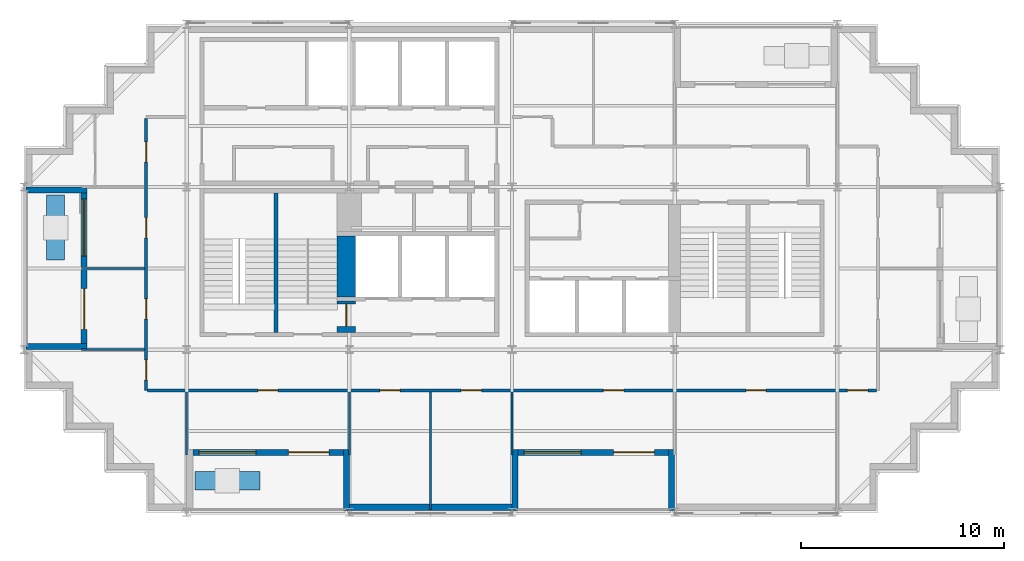
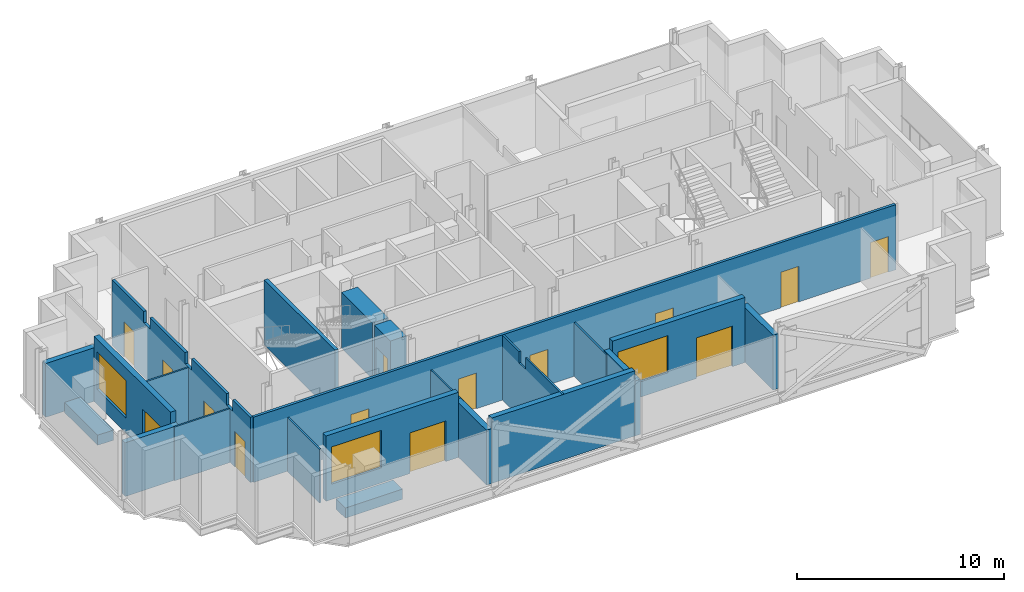
# One storey, part 4 of 10: 22 walls, 14 doors, 3 windows, 17 openings.
"""IFC4 building model written with IfcOpenShell, lengths in metres."""

from ifc_helpers import new_model, si_unit, direction, frame, frame_2d, origin, place, context, subcontext, project, spatial, polyline, rectangle, outline, extrude, material, layer, layer_set, type_object, element, fill, save


model = new_model("IFC4")

# Units and contexts
model_context = context("Model", 3, precision=1e-05, world=origin(), true_north=direction((0.0, 1.0)))
body_context = subcontext(model_context, "Body", "Model", "MODEL_VIEW")
ifc_project = project(units=[si_unit("LENGTHUNIT", "METRE"), si_unit("AREAUNIT", "SQUARE_METRE"), si_unit("VOLUMEUNIT", "CUBIC_METRE"), si_unit("PLANEANGLEUNIT", "RADIAN"), si_unit("MASSUNIT", "GRAM", prefix="KILO")], contexts=[model_context])

# Site, building, storey
site_placement = place(None, origin())
site = spatial("IfcSite", under=ifc_project, at=site_placement, CompositionType="ELEMENT")
building_placement = place(site_placement, origin())
building = spatial("IfcBuilding", under=site, at=building_placement, Name="Immortelle Media Tower", CompositionType="ELEMENT")
storey_placement = place(building_placement, frame((0.0, 0.0, 217.0)))
storey = spatial("IfcBuildingStorey", under=building, at=storey_placement, Name="L46", CompositionType="ELEMENT", Elevation=217.0)

# Wall, openings, doors
ifc_material_1 = material(Name="Fire-rated gypsum board", Category="gypsum")
ifc_layer_1 = layer(ifc_material_1, 0.012451171875)
ifc_material_2 = material(Name="Steel ASTM A653 SS Gr 50 stud frame with mineral wool", Category="steel")
ifc_layer_2 = layer(ifc_material_2, 0.125)
ifc_layer_3 = layer(ifc_material_1, 0.012451171875)
ifc_layer_set_1 = layer_set([ifc_layer_1, ifc_layer_2, ifc_layer_3], Name="Steel ASTM A653 SS Gr 50 stud frame with mineral wool")
wall_type_1 = type_object("IfcWallType", Name="Corridor wall 150", PredefinedType="PARTITIONING", material=ifc_layer_set_1)
wall_1_placement = place(storey_placement, frame((6.074951171875, 6.0, 0.0), z_axis=(0.0, 0.0, 1.0), x_axis=(1.0, 0.0, 0.0)))
wall_1 = element("IfcWall", 1, at=wall_1_placement, inside=storey, type_object=wall_type_1, Name="Partition L46-007", PredefinedType="PARTITIONING", context=body_context, shape_type="SweptSolid", body=[
    extrude(rectangle(XDim=35.85009765625, YDim=0.14990234375, at=frame_2d((17.925048828125, 0.0))), origin(), (0.0, 0.0, 1.0), 3.85009765625),
])
opening_1_placement = place(wall_1_placement, frame((12.425048828125, 0.0, 0.0), z_axis=(0.0, 0.0, 1.0), x_axis=(-1.0, 0.0, 0.0)))
opening_1 = element("IfcOpeningElement", 2, at=opening_1_placement, cuts=wall_1, Name="Opening O4-F001", PredefinedType="OPENING", context=body_context, shape_type="SweptSolid", body=[
    extrude(rectangle(XDim=1.0, YDim=2.10009765625, at=frame_2d((0.5, 1.050048828125))), frame((0.0, 0.0849609375, 0.0), z_axis=(0.0, -1.0, 0.0), x_axis=(1.0, 0.0, 0.0)), (0.0, 0.0, 1.0), 0.169921875),
])
opening_2_placement = place(wall_1_placement, frame((16.425048828125, 0.0, 0.0), z_axis=(0.0, 0.0, 1.0), x_axis=(-1.0, 0.0, 0.0)))
opening_2 = element("IfcOpeningElement", 3, at=opening_2_placement, cuts=wall_1, Name="Opening O4-F002", PredefinedType="OPENING", context=body_context, shape_type="SweptSolid", body=[
    extrude(rectangle(XDim=1.0, YDim=2.10009765625, at=frame_2d((0.5, 1.050048828125))), frame((0.0, 0.0849609375, 0.0), z_axis=(0.0, -1.0, 0.0), x_axis=(1.0, 0.0, 0.0)), (0.0, 0.0, 1.0), 0.169921875),
])
opening_3_placement = place(wall_1_placement, frame((30.425048828125, 0.0, 0.0), z_axis=(0.0, 0.0, 1.0), x_axis=(-1.0, 0.0, 0.0)))
opening_3 = element("IfcOpeningElement", 4, at=opening_3_placement, cuts=wall_1, Name="Opening O4-F003", PredefinedType="OPENING", context=body_context, shape_type="SweptSolid", body=[
    extrude(rectangle(XDim=1.0, YDim=2.10009765625, at=frame_2d((0.5, 1.050048828125))), frame((0.0, 0.0849609375, 0.0), z_axis=(0.0, -1.0, 0.0), x_axis=(1.0, 0.0, 0.0)), (0.0, 0.0, 1.0), 0.169921875),
])
opening_4_placement = place(wall_1_placement, frame((6.425048828125, 0.0, 0.0), z_axis=(0.0, 0.0, 1.0), x_axis=(-1.0, 0.0, 0.0)))
opening_4 = element("IfcOpeningElement", 5, at=opening_4_placement, cuts=wall_1, Name="Opening O4-F004", PredefinedType="OPENING", context=body_context, shape_type="SweptSolid", body=[
    extrude(rectangle(XDim=1.0, YDim=2.10009765625, at=frame_2d((0.5, 1.050048828125))), frame((0.0, 0.0849609375, 0.0), z_axis=(0.0, -1.0, 0.0), x_axis=(1.0, 0.0, 0.0)), (0.0, 0.0, 1.0), 0.169921875),
])
opening_5_placement = place(wall_1_placement, frame((23.425048828125, 0.0, 0.0), z_axis=(0.0, 0.0, 1.0), x_axis=(-1.0, 0.0, 0.0)))
opening_5 = element("IfcOpeningElement", 6, at=opening_5_placement, cuts=wall_1, Name="Opening O4-F005", PredefinedType="OPENING", context=body_context, shape_type="SweptSolid", body=[
    extrude(rectangle(XDim=1.0, YDim=2.10009765625, at=frame_2d((0.5, 1.050048828125))), frame((0.0, 0.0849609375, 0.0), z_axis=(0.0, -1.0, 0.0), x_axis=(1.0, 0.0, 0.0)), (0.0, 0.0, 1.0), 0.169921875),
])
opening_6_placement = place(wall_1_placement, frame((35.425048828125, 0.0, 0.0), z_axis=(0.0, 0.0, 1.0), x_axis=(-1.0, 0.0, 0.0)))
opening_6 = element("IfcOpeningElement", 7, at=opening_6_placement, cuts=wall_1, Name="Opening O4-F007", PredefinedType="OPENING", context=body_context, shape_type="SweptSolid", body=[
    extrude(rectangle(XDim=1.0, YDim=2.10009765625, at=frame_2d((0.5, 1.050048828125))), frame((0.0, 0.0849609375, 0.0), z_axis=(0.0, -1.0, 0.0), x_axis=(1.0, 0.0, 0.0)), (0.0, 0.0, 1.0), 0.169921875),
])
ifc_material_3 = material(Name="Timber veneered door leaf, galvanised steel frame ASTM A653", Category="steel")
door_type_1 = type_object("IfcDoorType", Name="Room door 1000 x 2100", OperationType="NOTDEFINED", PredefinedType="DOOR", material=ifc_material_3)
door_1_placement = place(opening_1_placement, origin())
door_1 = element("IfcDoor", 8, at=door_1_placement, inside=storey, type_object=door_type_1, Name="Door O4-F001", OperationType="SINGLE_SWING_LEFT", OverallHeight=2.10009765625, OverallWidth=1.0, PredefinedType="DOOR", context=body_context, shape_type="SweptSolid", body=[
    extrude(rectangle(XDim=1.0, YDim=2.10009765625, at=frame_2d((0.5, 1.050048828125))), frame((0.0, 0.02490234375, 0.0), z_axis=(0.0, -1.0, 0.0), x_axis=(1.0, 0.0, 0.0)), (0.0, 0.0, 1.0), 0.050048828125),
])
fill(opening_1, door_1)
door_2_placement = place(opening_2_placement, origin())
door_2 = element("IfcDoor", 9, at=door_2_placement, inside=storey, type_object=door_type_1, Name="Door O4-F002", OperationType="SINGLE_SWING_RIGHT", OverallHeight=2.10009765625, OverallWidth=1.0, PredefinedType="DOOR", context=body_context, shape_type="SweptSolid", body=[
    extrude(rectangle(XDim=1.0, YDim=2.10009765625, at=frame_2d((0.5, 1.050048828125))), frame((0.0, 0.02490234375, 0.0), z_axis=(0.0, -1.0, 0.0), x_axis=(1.0, 0.0, 0.0)), (0.0, 0.0, 1.0), 0.050048828125),
])
fill(opening_2, door_2)
door_3_placement = place(opening_3_placement, origin())
door_3 = element("IfcDoor", 10, at=door_3_placement, inside=storey, type_object=door_type_1, Name="Door O4-F003", OperationType="SINGLE_SWING_LEFT", OverallHeight=2.10009765625, OverallWidth=1.0, PredefinedType="DOOR", context=body_context, shape_type="SweptSolid", body=[
    extrude(rectangle(XDim=1.0, YDim=2.10009765625, at=frame_2d((0.5, 1.050048828125))), frame((0.0, 0.02490234375, 0.0), z_axis=(0.0, -1.0, 0.0), x_axis=(1.0, 0.0, 0.0)), (0.0, 0.0, 1.0), 0.050048828125),
])
fill(opening_3, door_3)
door_4_placement = place(opening_4_placement, origin())
door_4 = element("IfcDoor", 11, at=door_4_placement, inside=storey, type_object=door_type_1, Name="Door O4-F004", OperationType="SINGLE_SWING_RIGHT", OverallHeight=2.10009765625, OverallWidth=1.0, PredefinedType="DOOR", context=body_context, shape_type="SweptSolid", body=[
    extrude(rectangle(XDim=1.0, YDim=2.10009765625, at=frame_2d((0.5, 1.050048828125))), frame((0.0, 0.02490234375, 0.0), z_axis=(0.0, -1.0, 0.0), x_axis=(1.0, 0.0, 0.0)), (0.0, 0.0, 1.0), 0.050048828125),
])
fill(opening_4, door_4)
door_5_placement = place(opening_5_placement, origin())
door_5 = element("IfcDoor", 12, at=door_5_placement, inside=storey, type_object=door_type_1, Name="Door O4-F005", OperationType="SINGLE_SWING_LEFT", OverallHeight=2.10009765625, OverallWidth=1.0, PredefinedType="DOOR", context=body_context, shape_type="SweptSolid", body=[
    extrude(rectangle(XDim=1.0, YDim=2.10009765625, at=frame_2d((0.5, 1.050048828125))), frame((0.0, 0.02490234375, 0.0), z_axis=(0.0, -1.0, 0.0), x_axis=(1.0, 0.0, 0.0)), (0.0, 0.0, 1.0), 0.050048828125),
])
fill(opening_5, door_5)
door_6_placement = place(opening_6_placement, origin())
door_6 = element("IfcDoor", 13, at=door_6_placement, inside=storey, type_object=door_type_1, Name="Door O4-F007", OperationType="SINGLE_SWING_RIGHT", OverallHeight=2.10009765625, OverallWidth=1.0, PredefinedType="DOOR", context=body_context, shape_type="SweptSolid", body=[
    extrude(rectangle(XDim=1.0, YDim=2.10009765625, at=frame_2d((0.5, 1.050048828125))), frame((0.0, 0.02490234375, 0.0), z_axis=(0.0, -1.0, 0.0), x_axis=(1.0, 0.0, 0.0)), (0.0, 0.0, 1.0), 0.050048828125),
])
fill(opening_6, door_6)

wall_2_placement = place(storey_placement, frame((6.0, 6.0, 0.0), z_axis=(0.0, 0.0, 1.0), x_axis=(0.0, 1.0, 0.0)))
wall_2 = element("IfcWall", 14, at=wall_2_placement, inside=storey, type_object=wall_type_1, Name="Partition L46-008", PredefinedType="PARTITIONING", context=body_context, shape_type="SweptSolid", body=[
    extrude(outline(polyline([(0.0, 0.0), (13.375, 0.0), (13.375, 3.85009765625), (10.300048828125, 3.85009765625), (10.298095703125, 3.172119140625), (9.701904296875, 3.172119140625), (9.699951171875, 3.85009765625), (6.300048828125, 3.85009765625), (6.298095703125, 3.172119140625), (5.701904296875, 3.172119140625), (5.699951171875, 3.85009765625), (2.300048828125, 3.85009765625), (2.298095703125, 3.172119140625), (1.701904296875, 3.172119140625), (1.699951171875, 3.85009765625), (0.0, 3.85009765625), (0.0, 0.0)])), frame((0.0, 0.074951171875, 0.0), z_axis=(0.0, -1.0, 0.0), x_axis=(1.0, 0.0, 0.0)), (0.0, 0.0, 1.0), 0.14990234375),
])
opening_7_placement = place(wall_2_placement, frame((0.5, 0.0, 0.0)))
opening_7 = element("IfcOpeningElement", 15, at=opening_7_placement, cuts=wall_2, Name="Opening O4-F006", PredefinedType="OPENING", context=body_context, shape_type="SweptSolid", body=[
    extrude(rectangle(XDim=1.0, YDim=2.10009765625, at=frame_2d((0.5, 1.050048828125))), frame((0.0, 0.0849609375, 0.0), z_axis=(0.0, -1.0, 0.0), x_axis=(1.0, 0.0, 0.0)), (0.0, 0.0, 1.0), 0.169921875),
])
opening_8_placement = place(wall_2_placement, frame((3.5, 0.0, 0.0)))
opening_8 = element("IfcOpeningElement", 16, at=opening_8_placement, cuts=wall_2, Name="Opening O4-F008", PredefinedType="OPENING", context=body_context, shape_type="SweptSolid", body=[
    extrude(rectangle(XDim=1.0, YDim=2.10009765625, at=frame_2d((0.5, 1.050048828125))), frame((0.0, 0.0849609375, 0.0), z_axis=(0.0, -1.0, 0.0), x_axis=(1.0, 0.0, 0.0)), (0.0, 0.0, 1.0), 0.169921875),
])
opening_9_placement = place(wall_2_placement, frame((7.5, 0.0, 0.0)))
opening_9 = element("IfcOpeningElement", 17, at=opening_9_placement, cuts=wall_2, Name="Opening O4-F009", PredefinedType="OPENING", context=body_context, shape_type="SweptSolid", body=[
    extrude(rectangle(XDim=1.0, YDim=2.10009765625, at=frame_2d((0.5, 1.050048828125))), frame((0.0, 0.0849609375, 0.0), z_axis=(0.0, -1.0, 0.0), x_axis=(1.0, 0.0, 0.0)), (0.0, 0.0, 1.0), 0.169921875),
])
opening_10_placement = place(wall_2_placement, frame((11.22509765625, 0.0, 0.0)))
opening_10 = element("IfcOpeningElement", 18, at=opening_10_placement, cuts=wall_2, Name="Opening O4-F012", PredefinedType="OPENING", context=body_context, shape_type="SweptSolid", body=[
    extrude(rectangle(XDim=1.0, YDim=2.10009765625, at=frame_2d((0.5, 1.050048828125))), frame((0.0, 0.0849609375, 0.0), z_axis=(0.0, -1.0, 0.0), x_axis=(1.0, 0.0, 0.0)), (0.0, 0.0, 1.0), 0.169921875),
])
door_7_placement = place(opening_7_placement, origin())
door_7 = element("IfcDoor", 19, at=door_7_placement, inside=storey, type_object=door_type_1, Name="Door O4-F006", OperationType="SINGLE_SWING_RIGHT", OverallHeight=2.10009765625, OverallWidth=1.0, PredefinedType="DOOR", context=body_context, shape_type="SweptSolid", body=[
    extrude(rectangle(XDim=1.0, YDim=2.10009765625, at=frame_2d((0.5, 1.050048828125))), frame((0.0, 0.02490234375, 0.0), z_axis=(0.0, -1.0, 0.0), x_axis=(1.0, 0.0, 0.0)), (0.0, 0.0, 1.0), 0.050048828125),
])
fill(opening_7, door_7)
door_8_placement = place(opening_8_placement, origin())
door_8 = element("IfcDoor", 20, at=door_8_placement, inside=storey, type_object=door_type_1, Name="Door O4-F008", OperationType="SINGLE_SWING_RIGHT", OverallHeight=2.10009765625, OverallWidth=1.0, PredefinedType="DOOR", context=body_context, shape_type="SweptSolid", body=[
    extrude(rectangle(XDim=1.0, YDim=2.10009765625, at=frame_2d((0.5, 1.050048828125))), frame((0.0, 0.02490234375, 0.0), z_axis=(0.0, -1.0, 0.0), x_axis=(1.0, 0.0, 0.0)), (0.0, 0.0, 1.0), 0.050048828125),
])
fill(opening_8, door_8)
door_9_placement = place(opening_9_placement, origin())
door_9 = element("IfcDoor", 21, at=door_9_placement, inside=storey, type_object=door_type_1, Name="Door O4-F009", OperationType="SINGLE_SWING_RIGHT", OverallHeight=2.10009765625, OverallWidth=1.0, PredefinedType="DOOR", context=body_context, shape_type="SweptSolid", body=[
    extrude(rectangle(XDim=1.0, YDim=2.10009765625, at=frame_2d((0.5, 1.050048828125))), frame((0.0, 0.02490234375, 0.0), z_axis=(0.0, -1.0, 0.0), x_axis=(1.0, 0.0, 0.0)), (0.0, 0.0, 1.0), 0.050048828125),
])
fill(opening_9, door_9)
door_10_placement = place(opening_10_placement, origin())
door_10 = element("IfcDoor", 22, at=door_10_placement, inside=storey, type_object=door_type_1, Name="Door O4-F012", OperationType="SINGLE_SWING_LEFT", OverallHeight=2.10009765625, OverallWidth=1.0, PredefinedType="DOOR", context=body_context, shape_type="SweptSolid", body=[
    extrude(rectangle(XDim=1.0, YDim=2.10009765625, at=frame_2d((0.5, 1.050048828125))), frame((0.0, 0.02490234375, 0.0), z_axis=(0.0, -1.0, 0.0), x_axis=(1.0, 0.0, 0.0)), (0.0, 0.0, 1.0), 0.050048828125),
])
fill(opening_10, door_10)

# Wall, openings, door, window
ifc_material_4 = material(Name="Pale aluminium cladding panel", Category="aluminium")
ifc_layer_4 = layer(ifc_material_4, 0.030029296875)
ifc_layer_5 = layer(ifc_material_2, 0.257568359375)
ifc_material_5 = material(Name="Moisture-resistant gypsum board", Category="gypsum")
ifc_layer_6 = layer(ifc_material_5, 0.012451171875)
ifc_layer_set_2 = layer_set([ifc_layer_4, ifc_layer_5, ifc_layer_6], Name="Steel ASTM A653 SS Gr 50 stud frame with mineral wool")
wall_type_2 = type_object("IfcWallType", Name="Facade wall 300", PredefinedType="SOLIDWALL", material=ifc_layer_set_2)
wall_3_placement = place(storey_placement, frame((8.300048828125, 2.949951171875, 0.0), z_axis=(0.0, 0.0, 1.0), x_axis=(1.0, 0.0, 0.0)))
wall_3 = element("IfcWall", 23, at=wall_3_placement, inside=storey, type_object=wall_type_2, Name="Loggia wall L46 S6", PredefinedType="SOLIDWALL", context=body_context, shape_type="SweptSolid", body=[
    extrude(rectangle(XDim=7.39990234375, YDim=0.300048828125, at=frame_2d((3.699951171875, 0.0))), origin(), (0.0, 0.0, 1.0), 3.85009765625),
])
opening_11_placement = place(wall_3_placement, frame((0.300048828125, 0.0, 0.89990234375)))
opening_11 = element("IfcOpeningElement", 24, at=opening_11_placement, cuts=wall_3, Name="Opening W1", PredefinedType="OPENING", context=body_context, shape_type="SweptSolid", body=[
    extrude(rectangle(XDim=2.800048828125, YDim=2.199951171875, at=frame_2d((1.39990234375, 1.10009765625))), frame((0.0, 0.159912109375, 0.0), z_axis=(0.0, -1.0, 0.0), x_axis=(1.0, 0.0, 0.0)), (0.0, 0.0, 1.0), 0.320068359375),
])
opening_12_placement = place(wall_3_placement, frame((4.699951171875, 0.0, 0.0)))
opening_12 = element("IfcOpeningElement", 25, at=opening_12_placement, cuts=wall_3, Name="Opening O4-E001", PredefinedType="OPENING", context=body_context, shape_type="SweptSolid", body=[
    extrude(rectangle(XDim=2.0, YDim=2.39990234375, at=frame_2d((1.0, 1.199951171875))), frame((0.0, 0.159912109375, 0.0), z_axis=(0.0, -1.0, 0.0), x_axis=(1.0, 0.0, 0.0)), (0.0, 0.0, 1.0), 0.320068359375),
])
ifc_material_6 = material(Name="Aluminium frame, glazed leaves", Category="aluminium")
door_type_2 = type_object("IfcDoorType", Name="Loggia door 2000 x 2400", OperationType="DOUBLE_DOOR_SINGLE_SWING", PredefinedType="DOOR", material=ifc_material_6)
door_11_placement = place(opening_12_placement, origin())
door_11 = element("IfcDoor", 26, at=door_11_placement, inside=storey, type_object=door_type_2, Name="Door O4-E001", OperationType="DOUBLE_DOOR_SINGLE_SWING", OverallHeight=2.39990234375, OverallWidth=2.0, PredefinedType="DOOR", context=body_context, shape_type="SweptSolid", body=[
    extrude(rectangle(XDim=2.0, YDim=2.39990234375, at=frame_2d((1.0, 1.199951171875))), frame((0.0, 0.02490234375, 0.0), z_axis=(0.0, -1.0, 0.0), x_axis=(1.0, 0.0, 0.0)), (0.0, 0.0, 1.0), 0.050048828125),
])
fill(opening_12, door_11)
ifc_material_7 = material(Name="Aluminium frame", Category="aluminium")
window_type = type_object("IfcWindowType", Name="Window 2800 x 2200", PartitioningType="SINGLE_PANEL", PredefinedType="WINDOW", material=ifc_material_7)
window_1_placement = place(opening_11_placement, origin())
window_1 = element("IfcWindow", 27, at=window_1_placement, inside=storey, type_object=window_type, Name="Window L46 L46-R6-B0", OverallHeight=2.199951171875, OverallWidth=2.800048828125, PartitioningType="SINGLE_PANEL", PredefinedType="WINDOW", context=body_context, shape_type="SweptSolid", body=[
    extrude(rectangle(XDim=2.800048828125, YDim=2.199951171875, at=frame_2d((1.39990234375, 1.10009765625))), frame((0.0, 0.030029296875, 0.0), z_axis=(0.0, -1.0, 0.0), x_axis=(1.0, 0.0, 0.0)), (0.0, 0.0, 1.0), 0.06005859375),
])
fill(opening_11, window_1)

# Walls
wall_4_placement = place(storey_placement, frame((15.85009765625, 0.10009765625, 0.0), z_axis=(0.0, 0.0, 1.0), x_axis=(0.0, 1.0, 0.0)))
element("IfcWall", 28, at=wall_4_placement, inside=storey, type_object=wall_type_2, Name="Loggia cheek wall L46 S", PredefinedType="SOLIDWALL", context=body_context, shape_type="SweptSolid", body=[
    extrude(rectangle(XDim=3.0, YDim=0.300048828125, at=frame_2d((1.5, 0.0))), origin(), (0.0, 0.0, 1.0), 3.237060546875),
])
wall_5_placement = place(storey_placement, frame((16.0, 0.25, 0.0), z_axis=(0.0, 0.0, 1.0), x_axis=(1.0, 0.0, 0.0)))
element("IfcWall", 29, at=wall_5_placement, inside=storey, type_object=wall_type_2, Name="Facade wall L46 S6", PredefinedType="SOLIDWALL", context=body_context, shape_type="SweptSolid", body=[
    extrude(rectangle(XDim=8.0, YDim=0.300048828125, at=frame_2d((4.0, 0.0))), origin(), (0.0, 0.0, 1.0), 3.85009765625),
])

# Wall, openings, door, window
wall_6_placement = place(storey_placement, frame((24.300048828125, 2.949951171875, 0.0), z_axis=(0.0, 0.0, 1.0), x_axis=(1.0, 0.0, 0.0)))
wall_6 = element("IfcWall", 30, at=wall_6_placement, inside=storey, type_object=wall_type_2, Name="Loggia wall L46 S6", PredefinedType="SOLIDWALL", context=body_context, shape_type="SweptSolid", body=[
    extrude(rectangle(XDim=7.39990234375, YDim=0.300048828125, at=frame_2d((3.699951171875, 0.0))), origin(), (0.0, 0.0, 1.0), 3.85009765625),
])
opening_13_placement = place(wall_6_placement, frame((0.300048828125, 0.0, 0.89990234375)))
opening_13 = element("IfcOpeningElement", 31, at=opening_13_placement, cuts=wall_6, Name="Opening W1", PredefinedType="OPENING", context=body_context, shape_type="SweptSolid", body=[
    extrude(rectangle(XDim=2.800048828125, YDim=2.199951171875, at=frame_2d((1.39990234375, 1.10009765625))), frame((0.0, 0.159912109375, 0.0), z_axis=(0.0, -1.0, 0.0), x_axis=(1.0, 0.0, 0.0)), (0.0, 0.0, 1.0), 0.320068359375),
])
opening_14_placement = place(wall_6_placement, frame((4.699951171875, 0.0, 0.0)))
opening_14 = element("IfcOpeningElement", 32, at=opening_14_placement, cuts=wall_6, Name="Opening O4-E002", PredefinedType="OPENING", context=body_context, shape_type="SweptSolid", body=[
    extrude(rectangle(XDim=2.0, YDim=2.39990234375, at=frame_2d((1.0, 1.199951171875))), frame((0.0, 0.159912109375, 0.0), z_axis=(0.0, -1.0, 0.0), x_axis=(1.0, 0.0, 0.0)), (0.0, 0.0, 1.0), 0.320068359375),
])
door_12_placement = place(opening_14_placement, origin())
door_12 = element("IfcDoor", 33, at=door_12_placement, inside=storey, type_object=door_type_2, Name="Door O4-E002", OperationType="DOUBLE_DOOR_SINGLE_SWING", OverallHeight=2.39990234375, OverallWidth=2.0, PredefinedType="DOOR", context=body_context, shape_type="SweptSolid", body=[
    extrude(rectangle(XDim=2.0, YDim=2.39990234375, at=frame_2d((1.0, 1.199951171875))), frame((0.0, 0.02490234375, 0.0), z_axis=(0.0, -1.0, 0.0), x_axis=(1.0, 0.0, 0.0)), (0.0, 0.0, 1.0), 0.050048828125),
])
fill(opening_14, door_12)
window_2_placement = place(opening_13_placement, origin())
window_2 = element("IfcWindow", 34, at=window_2_placement, inside=storey, type_object=window_type, Name="Window L46 L46-R6-B2", OverallHeight=2.199951171875, OverallWidth=2.800048828125, PartitioningType="SINGLE_PANEL", PredefinedType="WINDOW", context=body_context, shape_type="SweptSolid", body=[
    extrude(rectangle(XDim=2.800048828125, YDim=2.199951171875, at=frame_2d((1.39990234375, 1.10009765625))), frame((0.0, 0.030029296875, 0.0), z_axis=(0.0, -1.0, 0.0), x_axis=(1.0, 0.0, 0.0)), (0.0, 0.0, 1.0), 0.06005859375),
])
fill(opening_13, window_2)

# Walls
for number, where, z_axis, x_axis, name in (
    (35, (24.14990234375, 0.10009765625, 0.0), (0.0, 0.0, 1.0), (0.0, 1.0, 0.0), "Loggia cheek wall L46 S"),
    (36, (31.85009765625, 0.10009765625, 0.0), (0.0, 0.0, 1.0), (0.0, 1.0, 0.0), "Loggia cheek wall L46 S"),
):
    element("IfcWall", number, at=place(storey_placement, frame(where, z_axis=z_axis, x_axis=x_axis)), inside=storey, type_object=wall_type_2, Name=name, PredefinedType="SOLIDWALL", context=body_context, shape_type="SweptSolid", body=[
        extrude(rectangle(XDim=3.0, YDim=0.300048828125, at=frame_2d((1.5, 0.0))), origin(), (0.0, 0.0, 1.0), 3.237060546875),
    ])

# Wall, openings, door, window
wall_7_placement = place(storey_placement, frame((2.949951171875, 15.699951171875, 0.0), z_axis=(0.0, 0.0, 1.0), x_axis=(0.0, -1.0, 0.0)))
wall_7 = element("IfcWall", 37, at=wall_7_placement, inside=storey, type_object=wall_type_2, Name="Loggia wall L46 W27", PredefinedType="SOLIDWALL", context=body_context, shape_type="SweptSolid", body=[
    extrude(rectangle(XDim=7.39990234375, YDim=0.300048828125, at=frame_2d((3.699951171875, 0.0))), origin(), (0.0, 0.0, 1.0), 3.85009765625),
])
opening_15_placement = place(wall_7_placement, frame((0.300048828125, 0.0, 0.89990234375)))
opening_15 = element("IfcOpeningElement", 38, at=opening_15_placement, cuts=wall_7, Name="Opening W1", PredefinedType="OPENING", context=body_context, shape_type="SweptSolid", body=[
    extrude(rectangle(XDim=2.800048828125, YDim=2.199951171875, at=frame_2d((1.39990234375, 1.10009765625))), frame((0.0, 0.159912109375, 0.0), z_axis=(0.0, -1.0, 0.0), x_axis=(1.0, 0.0, 0.0)), (0.0, 0.0, 1.0), 0.320068359375),
])
opening_16_placement = place(wall_7_placement, frame((4.699951171875, 0.0, 0.0)))
opening_16 = element("IfcOpeningElement", 39, at=opening_16_placement, cuts=wall_7, Name="Opening O4-E006", PredefinedType="OPENING", context=body_context, shape_type="SweptSolid", body=[
    extrude(rectangle(XDim=2.0, YDim=2.39990234375, at=frame_2d((1.0, 1.199951171875))), frame((0.0, 0.159912109375, 0.0), z_axis=(0.0, -1.0, 0.0), x_axis=(1.0, 0.0, 0.0)), (0.0, 0.0, 1.0), 0.320068359375),
])
door_13_placement = place(opening_16_placement, origin())
door_13 = element("IfcDoor", 40, at=door_13_placement, inside=storey, type_object=door_type_2, Name="Door O4-E006", OperationType="DOUBLE_DOOR_SINGLE_SWING", OverallHeight=2.39990234375, OverallWidth=2.0, PredefinedType="DOOR", context=body_context, shape_type="SweptSolid", body=[
    extrude(rectangle(XDim=2.0, YDim=2.39990234375, at=frame_2d((1.0, 1.199951171875))), frame((0.0, 0.02490234375, 0.0), z_axis=(0.0, -1.0, 0.0), x_axis=(1.0, 0.0, 0.0)), (0.0, 0.0, 1.0), 0.050048828125),
])
fill(opening_16, door_13)
window_3_placement = place(opening_15_placement, origin())
window_3 = element("IfcWindow", 41, at=window_3_placement, inside=storey, type_object=window_type, Name="Window L46 L46-R27-B0", OverallHeight=2.199951171875, OverallWidth=2.800048828125, PartitioningType="SINGLE_PANEL", PredefinedType="WINDOW", context=body_context, shape_type="SweptSolid", body=[
    extrude(rectangle(XDim=2.800048828125, YDim=2.199951171875, at=frame_2d((1.39990234375, 1.10009765625))), frame((0.0, 0.030029296875, 0.0), z_axis=(0.0, -1.0, 0.0), x_axis=(1.0, 0.0, 0.0)), (0.0, 0.0, 1.0), 0.06005859375),
])
fill(opening_15, window_3)

# Walls
for number, where, z_axis, x_axis, name in (
    (42, (0.10009765625, 15.85009765625, 0.0), (0.0, 0.0, 1.0), (1.0, 0.0, 0.0), "Loggia cheek wall L46 W"),
    (43, (0.10009765625, 8.14990234375, 0.0), (0.0, 0.0, 1.0), (1.0, 0.0, 0.0), "Loggia cheek wall L46 W"),
):
    element("IfcWall", number, at=place(storey_placement, frame(where, z_axis=z_axis, x_axis=x_axis)), inside=storey, type_object=wall_type_2, Name=name, PredefinedType="SOLIDWALL", context=body_context, shape_type="SweptSolid", body=[
        extrude(rectangle(XDim=3.0, YDim=0.300048828125, at=frame_2d((1.5, 0.0))), origin(), (0.0, 0.0, 1.0), 3.1708984375),
    ])
ifc_material_8 = material(Name="Gypsum board", Category="gypsum")
ifc_layer_7 = layer(ifc_material_8, 0.012451171875)
ifc_layer_8 = layer(ifc_material_2, 0.074951171875)
ifc_layer_9 = layer(ifc_material_8, 0.012451171875)
ifc_layer_set_3 = layer_set([ifc_layer_7, ifc_layer_8, ifc_layer_9], Name="Steel ASTM A653 SS Gr 50 stud frame with mineral wool")
wall_type_3 = type_object("IfcWallType", Name="Partition 100", PredefinedType="PARTITIONING", material=ifc_layer_set_3)
wall_8_placement = place(storey_placement, frame((20.0, 0.1298828125, 0.0), z_axis=(0.0, 0.0, 1.0), x_axis=(0.0, 1.0, 0.0)))
element("IfcWall", 44, at=wall_8_placement, inside=storey, type_object=wall_type_3, Name="Partition L46-001", PredefinedType="PARTITIONING", context=body_context, shape_type="SweptSolid", body=[
    extrude(outline(polyline([(0.0, 0.0), (5.795166015625, 0.0), (5.794921875, 3.85009765625), (4.169921875, 3.85009765625), (4.16796875, 3.172119140625), (3.572021484375, 3.172119140625), (3.570068359375, 3.85009765625), (0.0, 3.85009765625), (0.0, 0.0)])), frame((0.0, 0.050048828125, 0.0), z_axis=(0.0, -1.0, 0.0), x_axis=(1.0, 0.0, 0.0)), (0.0, 0.0, 1.0), 0.10009765625),
])
for number, where, z_axis, x_axis, name in (
    (45, (8.0, 2.830078125, 0.0), (0.0, 0.0, 1.0), (0.0, 1.0, 0.0), "Partition L46-003"),
    (46, (16.0, 2.830078125, 0.0), (0.0, 0.0, 1.0), (0.0, 1.0, 0.0), "Partition L46-004"),
    (47, (24.0, 2.830078125, 0.0), (0.0, 0.0, 1.0), (0.0, 1.0, 0.0), "Partition L46-005"),
    (48, (2.830078125, 8.0, 0.0), (0.0, 0.0, 1.0), (1.0, 0.0, 0.0), "Partition L46-010"),
    (49, (2.830078125, 12.0, 0.0), (0.0, 0.0, 1.0), (1.0, 0.0, 0.0), "Partition L46-012"),
):
    element("IfcWall", number, at=place(storey_placement, frame(where, z_axis=z_axis, x_axis=x_axis)), inside=storey, type_object=wall_type_3, Name=name, PredefinedType="PARTITIONING", context=body_context, shape_type="SweptSolid", body=[
        extrude(rectangle(XDim=3.094970703125, YDim=0.10009765625, at=frame_2d((1.54736328125, 0.0))), origin(), (0.0, 0.0, 1.0), 3.172119140625),
    ])
ifc_layer_10 = layer(ifc_material_4, 0.0029296875)
ifc_material_9 = material(Name="Steel ASTM A572 Gr 50 planter shell", Category="steel")
ifc_layer_11 = layer(ifc_material_9, 0.011962890625)
ifc_material_10 = material(Name="Planting substrate", Category="soil")
ifc_layer_12 = layer(ifc_material_10, 0.873046875)
ifc_layer_13 = layer(ifc_material_9, 0.011962890625)
ifc_layer_set_4 = layer_set([ifc_layer_10, ifc_layer_11, ifc_layer_12, ifc_layer_13], Name="Steel ASTM A572 Gr 50 planter shell")
wall_type_4 = type_object("IfcWallType", Name="Planter wall 900", PredefinedType="SOLIDWALL", material=ifc_layer_set_4)
for number, where, z_axis, x_axis, name in (
    (50, (8.39990234375, 1.550048828125, 0.0), (0.0, 0.0, 1.0), (1.0, 0.0, 0.0), "Planter L46 S0"),
    (51, (1.550048828125, 15.60009765625, 0.0), (0.0, 0.0, 1.0), (0.0, -1.0, 0.0), "Planter L46 W0"),
):
    element("IfcWall", number, at=place(storey_placement, frame(where, z_axis=z_axis, x_axis=x_axis)), inside=storey, type_object=wall_type_4, Name=name, PredefinedType="SOLIDWALL", context=body_context, shape_type="SweptSolid", body=[
        extrude(rectangle(XDim=3.2001953125, YDim=0.89990234375, at=frame_2d((1.60009765625, 0.0))), origin(), (0.0, 0.0, 1.0), 0.60009765625),
    ])
ifc_material_11 = material(Name="Concrete C60", Category="concrete")
ifc_layer_14 = layer(ifc_material_11, 0.199951171875)
ifc_layer_set_5 = layer_set([ifc_layer_14], Name="Concrete C60")
wall_type_5 = type_object("IfcWallType", Name="Stair shaft wall 200", PredefinedType="PARTITIONING", material=ifc_layer_set_5)
wall_9_placement = place(storey_placement, frame((12.39990234375, 8.85009765625, 0.0), z_axis=(0.0, 0.0, 1.0), x_axis=(0.0, 1.0, 0.0)))
element("IfcWall", 52, at=wall_9_placement, inside=storey, type_object=wall_type_5, Name="Stair shaft wall SW", PredefinedType="PARTITIONING", context=body_context, shape_type="SweptSolid", body=[
    extrude(rectangle(XDim=6.849853515625, YDim=0.199951171875, at=frame_2d((3.4248046875, 0.0))), origin(), (0.0, 0.0, 1.0), 3.85009765625),
])

# Wall, opening, door
ifc_layer_15 = layer(ifc_material_11, 0.89990234375)
ifc_layer_set_6 = layer_set([ifc_layer_15], Name="Concrete C60")
wall_type_6 = type_object("IfcWallType", Name="Stair shaft wall 900", PredefinedType="PARTITIONING", material=ifc_layer_set_6)
wall_10_placement = place(storey_placement, frame((15.85009765625, 8.85009765625, 0.0), z_axis=(0.0, 0.0, 1.0), x_axis=(0.0, 1.0, 0.0)))
wall_10 = element("IfcWall", 53, at=wall_10_placement, inside=storey, type_object=wall_type_6, Name="Stair shaft wall SW", PredefinedType="PARTITIONING", context=body_context, shape_type="SweptSolid", body=[
    extrude(rectangle(XDim=1.5498046875, YDim=0.89990234375, at=frame_2d((0.77490234375, 0.0))), origin(), (0.0, 0.0, 1.0), 3.30810546875),
])
opening_17_placement = place(wall_10_placement, frame((0.300048828125, 0.0, 0.0)))
opening_17 = element("IfcOpeningElement", 54, at=opening_17_placement, cuts=wall_10, Name="Opening O4-K007", PredefinedType="OPENING", context=body_context, shape_type="SweptSolid", body=[
    extrude(rectangle(XDim=1.10009765625, YDim=2.10009765625, at=frame_2d((0.550048828125, 1.050048828125))), frame((0.0, 0.4599609375, 0.0), z_axis=(0.0, -1.0, 0.0), x_axis=(1.0, 0.0, 0.0)), (0.0, 0.0, 1.0), 0.919921875),
])
ifc_material_12 = material(Name="Galvanised steel door leaf and frame ASTM A653", Category="steel")
door_type_3 = type_object("IfcDoorType", Name="Stair lobby door 1100 x 2100", OperationType="NOTDEFINED", PredefinedType="NOTDEFINED", material=ifc_material_12)
door_14_placement = place(opening_17_placement, origin())
door_14 = element("IfcDoor", 55, at=door_14_placement, inside=storey, type_object=door_type_3, Name="Stair lobby O4-K007", OperationType="SINGLE_SWING_LEFT", OverallHeight=2.10009765625, OverallWidth=1.10009765625, PredefinedType="NOTDEFINED", context=body_context, shape_type="SweptSolid", body=[
    extrude(rectangle(XDim=1.10009765625, YDim=2.10009765625, at=frame_2d((0.550048828125, 1.050048828125))), frame((0.0, 0.02490234375, 0.0), z_axis=(0.0, -1.0, 0.0), x_axis=(1.0, 0.0, 0.0)), (0.0, 0.0, 1.0), 0.050048828125),
])
fill(opening_17, door_14)

# Wall
wall_11_placement = place(storey_placement, frame((15.85009765625, 10.60009765625, 0.0), z_axis=(0.0, 0.0, 1.0), x_axis=(0.0, 1.0, 0.0)))
element("IfcWall", 56, at=wall_11_placement, inside=storey, type_object=wall_type_6, Name="Stair shaft wall SW", PredefinedType="PARTITIONING", context=body_context, shape_type="SweptSolid", body=[
    extrude(rectangle(XDim=3.0, YDim=0.89990234375, at=frame_2d((1.5, 0.0))), origin(), (0.0, 0.0, 1.0), 3.30810546875),
])

save(model, "model.ifc")
